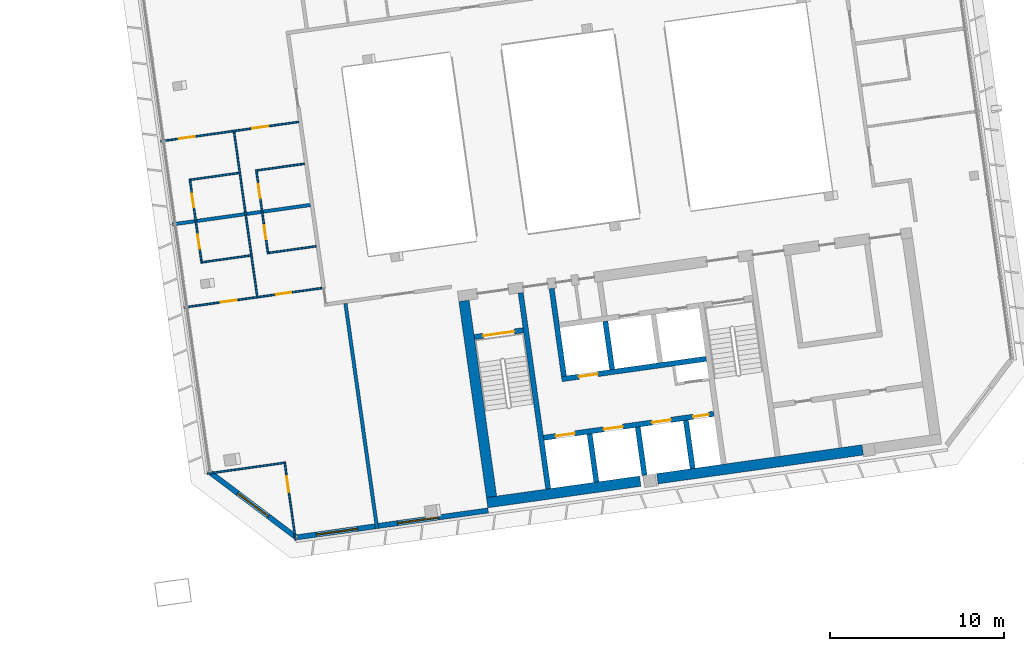
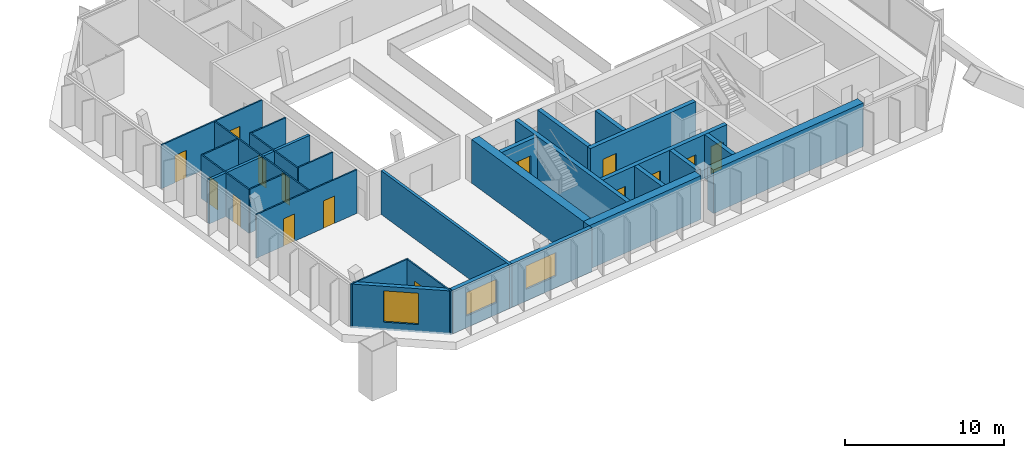
# One storey, part 17 of 25: 27 walls, 15 doors, 3 windows, 18 openings.
"""IFC4 building model written with IfcOpenShell, lengths in metres."""

from ifc_helpers import new_model, si_unit, direction, frame, frame_2d, origin, place, context, subcontext, project, spatial, rectangle, extrude, material, layer, layer_set, type_object, element, fill, save


model = new_model("IFC4")

# Units and contexts
model_context = context("Model", 3, precision=1e-05, world=origin(), true_north=direction((0.0, 1.0)))
body_context = subcontext(model_context, "Body", "Model", "MODEL_VIEW")
ifc_project = project(units=[si_unit("LENGTHUNIT", "METRE"), si_unit("AREAUNIT", "SQUARE_METRE"), si_unit("VOLUMEUNIT", "CUBIC_METRE"), si_unit("PLANEANGLEUNIT", "RADIAN"), si_unit("MASSUNIT", "GRAM", prefix="KILO")], contexts=[model_context])

# Site, building, storey
site_placement = place(None, origin())
site = spatial("IfcSite", under=ifc_project, at=site_placement, CompositionType="ELEMENT")
building_placement = place(site_placement, origin())
building = spatial("IfcBuilding", under=site, at=building_placement, Name="Mirante Cascada Hotel Towers", CompositionType="ELEMENT")
storey_placement = place(building_placement, frame((0.0, 0.0, 247.0)))
storey = spatial("IfcBuildingStorey", under=building, at=storey_placement, Name="L59", CompositionType="ELEMENT", Elevation=247.0)

# Walls
ifc_material_1 = material(Name="Fire-rated plasterboard on metal studs")
ifc_layer_1 = layer(ifc_material_1, 0.2)
ifc_layer_set_1 = layer_set([ifc_layer_1], Name="Compartment wall 200 EI 120")
wall_type_1 = type_object("IfcWallType", Name="Compartment wall 200 EI 120", PredefinedType="PARTITIONING", material=ifc_layer_set_1)
wall_1_placement = place(storey_placement, frame((27.1282, -2.4036, 0.0), z_axis=(0.0, 0.0, 1.0), x_axis=(-0.9902673, -0.1391788, 0.0)))
element("IfcWall", 1, at=wall_1_placement, inside=storey, type_object=wall_type_1, Name="Wall 2-L59-07", PredefinedType="PARTITIONING", context=body_context, shape_type="SweptSolid", body=[
    extrude(rectangle(XDim=8.0235, YDim=0.2, at=frame_2d((4.0118, 0.0))), origin(), (0.0, 0.0, 1.0), 3.35),
])
wall_2_placement = place(storey_placement, frame((29.1544, -8.0768, 0.0), z_axis=(0.0, 0.0, 1.0), x_axis=(0.1391756, -0.9902677, 0.0)))
element("IfcWall", 2, at=wall_2_placement, inside=storey, type_object=wall_type_1, Name="Wall 2-L59-33", PredefinedType="PARTITIONING", context=body_context, shape_type="SweptSolid", body=[
    extrude(rectangle(XDim=13.1, YDim=0.2, at=frame_2d((6.55, 0.0))), origin(), (0.0, 0.0, 1.0), 3.35),
])
ifc_material_2 = material(Name="Plasterboard on metal studs")
ifc_layer_2 = layer(ifc_material_2, 0.1)
ifc_layer_set_2 = layer_set([ifc_layer_2], Name="Partition 100")
wall_type_2 = type_object("IfcWallType", Name="Partition 100", PredefinedType="PARTITIONING", material=ifc_layer_set_2)
wall_3_placement = place(storey_placement, frame((25.7065, -17.2459, 0.0), z_axis=(0.0, 0.0, 1.0), x_axis=(-0.9902691, -0.1391656, 0.0)))
element("IfcWall", 3, at=wall_3_placement, inside=storey, type_object=wall_type_2, Name="Wall 2-L59-01", PredefinedType="PARTITIONING", context=body_context, shape_type="SweptSolid", body=[
    extrude(rectangle(XDim=4.55, YDim=0.1, at=frame_2d((2.275, 0.0))), origin(), (0.0, 0.0, 1.0), 3.35),
])

# Wall, openings, doors
wall_4_placement = place(storey_placement, frame((27.8009, -7.1899, 0.0), z_axis=(0.0, 0.0, 1.0), x_axis=(-0.990269, -0.1391666, 0.0)))
wall_4 = element("IfcWall", 4, at=wall_4_placement, inside=storey, type_object=wall_type_2, Name="Wall 2-L59-03", PredefinedType="PARTITIONING", context=body_context, shape_type="SweptSolid", body=[
    extrude(rectangle(XDim=8.0235, YDim=0.1, at=frame_2d((4.0118, 0.0))), origin(), (0.0, 0.0, 1.0), 3.35),
])
opening_1_placement = place(wall_4_placement, frame((4.9735, 0.0, 0.0)))
opening_1 = element("IfcOpeningElement", 5, at=opening_1_placement, cuts=wall_4, Name="Opening D2-L59-02", PredefinedType="OPENING", context=body_context, shape_type="SweptSolid", body=[
    extrude(rectangle(XDim=0.9, YDim=2.1, at=frame_2d((0.45, 1.05))), frame((0.0, 0.05, 0.0), z_axis=(0.0, -1.0, 0.0), x_axis=(1.0, 0.0, 0.0)), (0.0, 0.0, 1.0), 0.1),
])
opening_2_placement = place(wall_4_placement, frame((1.7809, 0.0, 0.0)))
opening_2 = element("IfcOpeningElement", 6, at=opening_2_placement, cuts=wall_4, Name="Opening D2-L59-03", PredefinedType="OPENING", context=body_context, shape_type="SweptSolid", body=[
    extrude(rectangle(XDim=0.9, YDim=2.1, at=frame_2d((0.45, 1.05))), frame((0.0, 0.05, 0.0), z_axis=(0.0, -1.0, 0.0), x_axis=(1.0, 0.0, 0.0)), (0.0, 0.0, 1.0), 0.1),
])
ifc_material_3 = material(Name="Timber door leaf", Category="wood")
door_type_1 = type_object("IfcDoorType", Name="Room door DG3 900x2100", OperationType="SINGLE_SWING_LEFT", PredefinedType="DOOR", material=ifc_material_3)
door_1_placement = place(opening_1_placement, origin())
door_1 = element("IfcDoor", 7, at=door_1_placement, inside=storey, type_object=door_type_1, Name="Door D2-L59-02", OperationType="SINGLE_SWING_LEFT", OverallHeight=2.1, OverallWidth=0.9, PredefinedType="DOOR", context=body_context, shape_type="SweptSolid", body=[
    extrude(rectangle(XDim=0.9, YDim=2.1, at=frame_2d((0.45, 1.05))), frame((0.0, 0.025, 0.0), z_axis=(0.0, -1.0, 0.0), x_axis=(1.0, 0.0, 0.0)), (0.0, 0.0, 1.0), 0.05),
])
fill(opening_1, door_1)
door_2_placement = place(opening_2_placement, origin())
door_2 = element("IfcDoor", 8, at=door_2_placement, inside=storey, type_object=door_type_1, Name="Door D2-L59-03", OperationType="SINGLE_SWING_LEFT", OverallHeight=2.1, OverallWidth=0.9, PredefinedType="DOOR", context=body_context, shape_type="SweptSolid", body=[
    extrude(rectangle(XDim=0.9, YDim=2.1, at=frame_2d((0.45, 1.05))), frame((0.0, 0.025, 0.0), z_axis=(0.0, -1.0, 0.0), x_axis=(1.0, 0.0, 0.0)), (0.0, 0.0, 1.0), 0.05),
])
fill(opening_2, door_2)

# Walls
wall_5_placement = place(storey_placement, frame((23.6875, -5.3107, 0.0), z_axis=(0.0, 0.0, 1.0), x_axis=(-0.990267, -0.139181, 0.0)))
element("IfcWall", 9, at=wall_5_placement, inside=storey, type_object=wall_type_2, Name="Wall 2-L59-05", PredefinedType="PARTITIONING", context=body_context, shape_type="SweptSolid", body=[
    extrude(rectangle(XDim=2.8, YDim=0.1, at=frame_2d((1.4, 0.0))), origin(), (0.0, 0.0, 1.0), 3.35),
])
wall_6_placement = place(storey_placement, frame((24.739, -5.163, 0.0), z_axis=(0.0, 0.0, 1.0), x_axis=(0.9902641, 0.1392013, 0.0)))
element("IfcWall", 10, at=wall_6_placement, inside=storey, type_object=wall_type_2, Name="Wall 2-L59-06", PredefinedType="PARTITIONING", context=body_context, shape_type="SweptSolid", body=[
    extrude(rectangle(XDim=2.75, YDim=0.1, at=frame_2d((1.375, 0.0))), origin(), (0.0, 0.0, 1.0), 3.35),
])
wall_7_placement = place(storey_placement, frame((23.0195, -0.5575, 0.0), z_axis=(0.0, 0.0, 1.0), x_axis=(-0.9902719, -0.1391459, 0.0)))
element("IfcWall", 11, at=wall_7_placement, inside=storey, type_object=wall_type_2, Name="Wall 2-L59-09", PredefinedType="PARTITIONING", context=body_context, shape_type="SweptSolid", body=[
    extrude(rectangle(XDim=2.7999, YDim=0.1, at=frame_2d((1.4, 0.0))), origin(), (0.0, 0.0, 1.0), 3.35),
])
wall_8_placement = place(storey_placement, frame((24.071, -0.4097, 0.0), z_axis=(0.0, 0.0, 1.0), x_axis=(0.9902691, 0.1391657, 0.0)))
element("IfcWall", 12, at=wall_8_placement, inside=storey, type_object=wall_type_2, Name="Wall 2-L59-10", PredefinedType="PARTITIONING", context=body_context, shape_type="SweptSolid", body=[
    extrude(rectangle(XDim=2.75, YDim=0.1, at=frame_2d((1.375, 0.0))), origin(), (0.0, 0.0, 1.0), 3.35),
])

# Wall, openings, doors
wall_9_placement = place(storey_placement, frame((18.5101, 1.266, 0.0), z_axis=(0.0, 0.0, 1.0), x_axis=(0.9902675, 0.1391771, 0.0)))
wall_9 = element("IfcWall", 13, at=wall_9_placement, inside=storey, type_object=wall_type_2, Name="Wall 2-L59-12", PredefinedType="PARTITIONING", context=body_context, shape_type="SweptSolid", body=[
    extrude(rectangle(XDim=8.0236, YDim=0.1, at=frame_2d((4.0118, 0.0))), origin(), (0.0, 0.0, 1.0), 3.35),
])
opening_3_placement = place(wall_9_placement, frame((1.0809, 0.0, 0.0)))
opening_3 = element("IfcOpeningElement", 14, at=opening_3_placement, cuts=wall_9, Name="Opening D2-L59-05", PredefinedType="OPENING", context=body_context, shape_type="SweptSolid", body=[
    extrude(rectangle(XDim=0.9, YDim=2.1, at=frame_2d((0.45, 1.05))), frame((0.0, 0.05, 0.0), z_axis=(0.0, -1.0, 0.0), x_axis=(1.0, 0.0, 0.0)), (0.0, 0.0, 1.0), 0.1),
])
opening_4_placement = place(wall_9_placement, frame((5.3426, 0.0, 0.0)))
opening_4 = element("IfcOpeningElement", 15, at=opening_4_placement, cuts=wall_9, Name="Opening D2-L59-06", PredefinedType="OPENING", context=body_context, shape_type="SweptSolid", body=[
    extrude(rectangle(XDim=0.9, YDim=2.1, at=frame_2d((0.45, 1.05))), frame((0.0, 0.05, 0.0), z_axis=(0.0, -1.0, 0.0), x_axis=(1.0, 0.0, 0.0)), (0.0, 0.0, 1.0), 0.1),
])
door_3_placement = place(opening_3_placement, origin())
door_3 = element("IfcDoor", 16, at=door_3_placement, inside=storey, type_object=door_type_1, Name="Door D2-L59-05", OperationType="SINGLE_SWING_LEFT", OverallHeight=2.1, OverallWidth=0.9, PredefinedType="DOOR", context=body_context, shape_type="SweptSolid", body=[
    extrude(rectangle(XDim=0.9, YDim=2.1, at=frame_2d((0.45, 1.05))), frame((0.0, 0.025, 0.0), z_axis=(0.0, -1.0, 0.0), x_axis=(1.0, 0.0, 0.0)), (0.0, 0.0, 1.0), 0.05),
])
fill(opening_3, door_3)
door_4_placement = place(opening_4_placement, origin())
door_4 = element("IfcDoor", 17, at=door_4_placement, inside=storey, type_object=door_type_1, Name="Door D2-L59-06", OperationType="SINGLE_SWING_LEFT", OverallHeight=2.1, OverallWidth=0.9, PredefinedType="DOOR", context=body_context, shape_type="SweptSolid", body=[
    extrude(rectangle(XDim=0.9, YDim=2.1, at=frame_2d((0.45, 1.05))), frame((0.0, 0.025, 0.0), z_axis=(0.0, -1.0, 0.0), x_axis=(1.0, 0.0, 0.0)), (0.0, 0.0, 1.0), 0.05),
])
fill(opening_4, door_4)

wall_10_placement = place(storey_placement, frame((20.1903, -0.9046, 0.0), z_axis=(0.0, 0.0, 1.0), x_axis=(0.1391638, -0.9902694, 0.0)))
wall_10 = element("IfcWall", 18, at=wall_10_placement, inside=storey, type_object=wall_type_2, Name="Wall 2-L59-27", PredefinedType="PARTITIONING", context=body_context, shape_type="SweptSolid", body=[
    extrude(rectangle(XDim=4.9, YDim=0.1, at=frame_2d((2.45, 0.0))), origin(), (0.0, 0.0, 1.0), 3.35),
])
opening_5_placement = place(wall_10_placement, frame((3.25, 0.0, 0.0)))
opening_5 = element("IfcOpeningElement", 19, at=opening_5_placement, cuts=wall_10, Name="Opening D2-L59-17", PredefinedType="OPENING", context=body_context, shape_type="SweptSolid", body=[
    extrude(rectangle(XDim=0.8, YDim=2.1, at=frame_2d((0.4, 1.05))), frame((0.0, 0.05, 0.0), z_axis=(0.0, -1.0, 0.0), x_axis=(1.0, 0.0, 0.0)), (0.0, 0.0, 1.0), 0.1),
])
opening_6_placement = place(wall_10_placement, frame((0.85, 0.0, 0.0)))
opening_6 = element("IfcOpeningElement", 20, at=opening_6_placement, cuts=wall_10, Name="Opening D2-L59-18", PredefinedType="OPENING", context=body_context, shape_type="SweptSolid", body=[
    extrude(rectangle(XDim=0.8, YDim=2.1, at=frame_2d((0.4, 1.05))), frame((0.0, 0.05, 0.0), z_axis=(0.0, -1.0, 0.0), x_axis=(1.0, 0.0, 0.0)), (0.0, 0.0, 1.0), 0.1),
])
ifc_material_4 = material(Name="Timber door leaf", Category="wood")
door_type_2 = type_object("IfcDoorType", Name="Bathroom door DG4 800x2100", OperationType="SINGLE_SWING_LEFT", PredefinedType="DOOR", material=ifc_material_4)
door_5_placement = place(opening_5_placement, origin())
door_5 = element("IfcDoor", 21, at=door_5_placement, inside=storey, type_object=door_type_2, Name="Door D2-L59-17", OperationType="SINGLE_SWING_LEFT", OverallHeight=2.1, OverallWidth=0.8, PredefinedType="DOOR", context=body_context, shape_type="SweptSolid", body=[
    extrude(rectangle(XDim=0.8, YDim=2.1, at=frame_2d((0.4, 1.05))), frame((0.0, 0.025, 0.0), z_axis=(0.0, -1.0, 0.0), x_axis=(1.0, 0.0, 0.0)), (0.0, 0.0, 1.0), 0.05),
])
fill(opening_5, door_5)
door_6_placement = place(opening_6_placement, origin())
door_6 = element("IfcDoor", 22, at=door_6_placement, inside=storey, type_object=door_type_2, Name="Door D2-L59-18", OperationType="SINGLE_SWING_LEFT", OverallHeight=2.1, OverallWidth=0.8, PredefinedType="DOOR", context=body_context, shape_type="SweptSolid", body=[
    extrude(rectangle(XDim=0.8, YDim=2.1, at=frame_2d((0.4, 1.05))), frame((0.0, 0.025, 0.0), z_axis=(0.0, -1.0, 0.0), x_axis=(1.0, 0.0, 0.0)), (0.0, 0.0, 1.0), 0.05),
])
fill(opening_6, door_6)

# Wall
wall_11_placement = place(storey_placement, frame((24.0687, -7.6639, 0.0), z_axis=(0.0, 0.0, 1.0), x_axis=(-0.1391717, 0.9902683, 0.0)))
element("IfcWall", 23, at=wall_11_placement, inside=storey, type_object=wall_type_2, Name="Wall 2-L59-28", PredefinedType="PARTITIONING", context=body_context, shape_type="SweptSolid", body=[
    extrude(rectangle(XDim=9.5666, YDim=0.1, at=frame_2d((4.7833, 0.0))), origin(), (0.0, 0.0, 1.0), 3.35),
])

# Wall, opening, door
wall_12_placement = place(storey_placement, frame((25.664, -17.3024, 0.0), z_axis=(0.0, 0.0, 1.0), x_axis=(0.1391684, -0.9902687, 0.0)))
wall_12 = element("IfcWall", 24, at=wall_12_placement, inside=storey, type_object=wall_type_2, Name="Wall 2-L59-29", PredefinedType="PARTITIONING", context=body_context, shape_type="SweptSolid", body=[
    extrude(rectangle(XDim=4.45, YDim=0.1, at=frame_2d((2.225, 0.0))), origin(), (0.0, 0.0, 1.0), 3.35),
])
opening_7_placement = place(wall_12_placement, frame((0.75, 0.0, 0.0)))
opening_7 = element("IfcOpeningElement", 25, at=opening_7_placement, cuts=wall_12, Name="Opening D2-L59-19", PredefinedType="OPENING", context=body_context, shape_type="SweptSolid", body=[
    extrude(rectangle(XDim=0.9, YDim=2.1, at=frame_2d((0.45, 1.05))), frame((0.0, 0.05, 0.0), z_axis=(0.0, -1.0, 0.0), x_axis=(1.0, 0.0, 0.0)), (0.0, 0.0, 1.0), 0.1),
])
door_7_placement = place(opening_7_placement, origin())
door_7 = element("IfcDoor", 26, at=door_7_placement, inside=storey, type_object=door_type_1, Name="Door D2-L59-19", OperationType="SINGLE_SWING_LEFT", OverallHeight=2.1, OverallWidth=0.9, PredefinedType="DOOR", context=body_context, shape_type="SweptSolid", body=[
    extrude(rectangle(XDim=0.9, YDim=2.1, at=frame_2d((0.45, 1.05))), frame((0.0, 0.025, 0.0), z_axis=(0.0, -1.0, 0.0), x_axis=(1.0, 0.0, 0.0)), (0.0, 0.0, 1.0), 0.05),
])
fill(opening_7, door_7)

# Wall, openings, doors
wall_13_placement = place(storey_placement, frame((24.0145, -0.3671, 0.0), z_axis=(0.0, 0.0, 1.0), x_axis=(0.1391638, -0.9902694, 0.0)))
wall_13 = element("IfcWall", 27, at=wall_13_placement, inside=storey, type_object=wall_type_2, Name="Wall 2-L59-31", PredefinedType="PARTITIONING", context=body_context, shape_type="SweptSolid", body=[
    extrude(rectangle(XDim=4.9, YDim=0.1, at=frame_2d((2.45, 0.0))), origin(), (0.0, 0.0, 1.0), 3.35),
])
opening_8_placement = place(wall_13_placement, frame((3.25, 0.0, 0.0)))
opening_8 = element("IfcOpeningElement", 28, at=opening_8_placement, cuts=wall_13, Name="Opening D2-L59-21", PredefinedType="OPENING", context=body_context, shape_type="SweptSolid", body=[
    extrude(rectangle(XDim=0.8, YDim=2.1, at=frame_2d((0.4, 1.05))), frame((0.0, 0.05, 0.0), z_axis=(0.0, -1.0, 0.0), x_axis=(1.0, 0.0, 0.0)), (0.0, 0.0, 1.0), 0.1),
])
opening_9_placement = place(wall_13_placement, frame((0.85, 0.0, 0.0)))
opening_9 = element("IfcOpeningElement", 29, at=opening_9_placement, cuts=wall_13, Name="Opening D2-L59-22", PredefinedType="OPENING", context=body_context, shape_type="SweptSolid", body=[
    extrude(rectangle(XDim=0.8, YDim=2.1, at=frame_2d((0.4, 1.05))), frame((0.0, 0.05, 0.0), z_axis=(0.0, -1.0, 0.0), x_axis=(1.0, 0.0, 0.0)), (0.0, 0.0, 1.0), 0.1),
])
door_8_placement = place(opening_8_placement, origin())
door_8 = element("IfcDoor", 30, at=door_8_placement, inside=storey, type_object=door_type_2, Name="Door D2-L59-21", OperationType="SINGLE_SWING_LEFT", OverallHeight=2.1, OverallWidth=0.8, PredefinedType="DOOR", context=body_context, shape_type="SweptSolid", body=[
    extrude(rectangle(XDim=0.8, YDim=2.1, at=frame_2d((0.4, 1.05))), frame((0.0, 0.025, 0.0), z_axis=(0.0, -1.0, 0.0), x_axis=(1.0, 0.0, 0.0)), (0.0, 0.0, 1.0), 0.05),
])
fill(opening_8, door_8)
door_9_placement = place(opening_9_placement, origin())
door_9 = element("IfcDoor", 31, at=door_9_placement, inside=storey, type_object=door_type_2, Name="Door D2-L59-22", OperationType="SINGLE_SWING_LEFT", OverallHeight=2.1, OverallWidth=0.8, PredefinedType="DOOR", context=body_context, shape_type="SweptSolid", body=[
    extrude(rectangle(XDim=0.8, YDim=2.1, at=frame_2d((0.4, 1.05))), frame((0.0, 0.025, 0.0), z_axis=(0.0, -1.0, 0.0), x_axis=(1.0, 0.0, 0.0)), (0.0, 0.0, 1.0), 0.05),
])
fill(opening_9, door_9)

# Wall, openings, windows
ifc_material_5 = material(Name="Precast concrete C40/50", Category="concrete")
ifc_layer_3 = layer(ifc_material_5, 0.3)
ifc_layer_set_3 = layer_set([ifc_layer_3], Name="Precast concrete C40/50 cladding wall 300")
wall_type_3 = type_object("IfcWallType", Name="Precast concrete C40/50 cladding wall 300", PredefinedType="STANDARD", material=ifc_layer_set_3)
wall_14_placement = place(storey_placement, frame((26.3853, -21.5433, 0.0), z_axis=(0.0, 0.0, 1.0), x_axis=(0.9902673, 0.1391784, 0.0)))
wall_14 = element("IfcWall", 32, at=wall_14_placement, inside=storey, type_object=wall_type_3, Name="Rear cladding wall T2 L59 1", PredefinedType="STANDARD", context=body_context, shape_type="SweptSolid", body=[
    extrude(rectangle(XDim=11.0994, YDim=0.3, at=frame_2d((5.5497, 0.0))), origin(), (0.0, 0.0, 1.0), 3.35),
])
opening_10_placement = place(wall_14_placement, frame((1.1005, 0.0, 0.9)))
opening_10 = element("IfcOpeningElement", 33, at=opening_10_placement, cuts=wall_14, Name="Opening W2-59-01", PredefinedType="OPENING", context=body_context, shape_type="SweptSolid", body=[
    extrude(rectangle(XDim=2.4, YDim=1.8, at=frame_2d((1.2, 0.9))), frame((0.0, 0.15, 0.0), z_axis=(0.0, -1.0, 0.0), x_axis=(1.0, 0.0, 0.0)), (0.0, 0.0, 1.0), 0.3),
])
opening_11_placement = place(wall_14_placement, frame((5.8254, 0.0, 0.9)))
opening_11 = element("IfcOpeningElement", 34, at=opening_11_placement, cuts=wall_14, Name="Opening W2-59-02", PredefinedType="OPENING", context=body_context, shape_type="SweptSolid", body=[
    extrude(rectangle(XDim=2.4, YDim=1.8, at=frame_2d((1.2, 0.9))), frame((0.0, 0.15, 0.0), z_axis=(0.0, -1.0, 0.0), x_axis=(1.0, 0.0, 0.0)), (0.0, 0.0, 1.0), 0.3),
])
ifc_material_6 = material(Name="Aluminium frame with clear double glazing", Category="aluminium")
window_type_1 = type_object("IfcWindowType", Name="Punched window 2400x1800", PartitioningType="DOUBLE_PANEL_VERTICAL", PredefinedType="WINDOW", material=ifc_material_6)
window_1_placement = place(opening_10_placement, origin())
window_1 = element("IfcWindow", 35, at=window_1_placement, inside=storey, type_object=window_type_1, Name="Window W2-59-01", OverallHeight=1.8, OverallWidth=2.4, PartitioningType="SINGLE_PANEL", PredefinedType="WINDOW", context=body_context, shape_type="SweptSolid", body=[
    extrude(rectangle(XDim=2.4, YDim=1.8, at=frame_2d((1.2, 0.9))), frame((0.0, 0.03, 0.0), z_axis=(0.0, -1.0, 0.0), x_axis=(1.0, 0.0, 0.0)), (0.0, 0.0, 1.0), 0.06),
])
fill(opening_10, window_1)
window_2_placement = place(opening_11_placement, origin())
window_2 = element("IfcWindow", 36, at=window_2_placement, inside=storey, type_object=window_type_1, Name="Window W2-59-02", OverallHeight=1.8, OverallWidth=2.4, PartitioningType="SINGLE_PANEL", PredefinedType="WINDOW", context=body_context, shape_type="SweptSolid", body=[
    extrude(rectangle(XDim=2.4, YDim=1.8, at=frame_2d((1.2, 0.9))), frame((0.0, 0.03, 0.0), z_axis=(0.0, -1.0, 0.0), x_axis=(1.0, 0.0, 0.0)), (0.0, 0.0, 1.0), 0.06),
])
fill(opening_11, window_2)

# Wall, opening, window
wall_15_placement = place(storey_placement, frame((21.3902, -17.8341, 0.0), z_axis=(0.0, 0.0, 1.0), x_axis=(0.7986362, -0.6018141, 0.0)))
wall_15 = element("IfcWall", 37, at=wall_15_placement, inside=storey, type_object=wall_type_3, Name="Corner cladding wall T2 L59 inner rear", PredefinedType="STANDARD", context=body_context, shape_type="SweptSolid", body=[
    extrude(rectangle(XDim=6.1157, YDim=0.3, at=frame_2d((3.0578, 0.0))), origin(), (0.0, 0.0, 1.0), 3.35),
])
opening_12_placement = place(wall_15_placement, frame((1.9578, 0.0, 0.6)))
opening_12 = element("IfcOpeningElement", 38, at=opening_12_placement, cuts=wall_15, Name="Opening W2-59-06", PredefinedType="OPENING", context=body_context, shape_type="SweptSolid", body=[
    extrude(rectangle(XDim=2.2, YDim=2.4, at=frame_2d((1.1, 1.2))), frame((0.0, 0.15, 0.0), z_axis=(0.0, -1.0, 0.0), x_axis=(1.0, 0.0, 0.0)), (0.0, 0.0, 1.0), 0.3),
])
ifc_material_7 = material(Name="Aluminium frame with clear double glazing", Category="aluminium")
window_type_2 = type_object("IfcWindowType", Name="Corner suite window 2200x2400", PartitioningType="DOUBLE_PANEL_VERTICAL", PredefinedType="WINDOW", material=ifc_material_7)
window_3_placement = place(opening_12_placement, origin())
window_3 = element("IfcWindow", 39, at=window_3_placement, inside=storey, type_object=window_type_2, Name="Window W2-59-06", OverallHeight=2.4, OverallWidth=2.2, PartitioningType="SINGLE_PANEL", PredefinedType="WINDOW", context=body_context, shape_type="SweptSolid", body=[
    extrude(rectangle(XDim=2.2, YDim=2.4, at=frame_2d((1.1, 1.2))), frame((0.0, 0.03, 0.0), z_axis=(0.0, -1.0, 0.0), x_axis=(1.0, 0.0, 0.0)), (0.0, 0.0, 1.0), 0.06),
])
fill(opening_12, window_3)

# Wall
ifc_material_8 = material(Name="Concrete C50/60", Category="concrete")
ifc_layer_4 = layer(ifc_material_8, 0.3)
ifc_layer_set_4 = layer_set([ifc_layer_4], Name="RC core wall 300 C50/60")
wall_type_4 = type_object("IfcWallType", Name="RC core wall 300 C50/60", PredefinedType="SHEAR", material=ifc_layer_set_4)
wall_16_placement = place(storey_placement, frame((40.8373, -18.7548, 0.0), z_axis=(0.0, 0.0, 1.0), x_axis=(-0.1391749, 0.9902678, 0.0)))
element("IfcWall", 40, at=wall_16_placement, inside=storey, type_object=wall_type_4, Name="Core wall T2:L59:5", PredefinedType="SHEAR", context=body_context, shape_type="SweptSolid", body=[
    extrude(rectangle(XDim=11.4, YDim=0.3, at=frame_2d((5.7, 0.0))), origin(), (0.0, 0.0, 1.0), 3.35),
])

# Wall, opening, door
wall_17_placement = place(storey_placement, frame((36.5791, -10.0123, 0.0), z_axis=(0.0, 0.0, 1.0), x_axis=(0.9902704, 0.1391564, 0.0)))
wall_17 = element("IfcWall", 41, at=wall_17_placement, inside=storey, type_object=wall_type_4, Name="Core wall T2:L59:8", PredefinedType="SHEAR", context=body_context, shape_type="SweptSolid", body=[
    extrude(rectangle(XDim=2.85, YDim=0.3, at=frame_2d((1.425, 0.0))), origin(), (0.0, 0.0, 1.0), 3.35),
])
opening_13_placement = place(wall_17_placement, frame((0.525, 0.0, 0.0)))
opening_13 = element("IfcOpeningElement", 42, at=opening_13_placement, cuts=wall_17, Name="Opening D2-59-C07", PredefinedType="OPENING", context=body_context, shape_type="SweptSolid", body=[
    extrude(rectangle(XDim=1.8, YDim=2.1, at=frame_2d((0.9, 1.05))), frame((0.0, 0.15, 0.0), z_axis=(0.0, -1.0, 0.0), x_axis=(1.0, 0.0, 0.0)), (0.0, 0.0, 1.0), 0.3),
])
ifc_material_9 = material(Name="Hollow metal fire door leaf")
door_type_3 = type_object("IfcDoorType", Name="Double fire door 1800x2100 FD60", OperationType="DOUBLE_DOOR_SINGLE_SWING", PredefinedType="DOOR", material=ifc_material_9)
door_10_placement = place(opening_13_placement, frame((1.8, 0.0, 0.0), z_axis=(0.0, 0.0, 1.0), x_axis=(-1.0, 0.0, 0.0)))
door_10 = element("IfcDoor", 43, at=door_10_placement, inside=storey, type_object=door_type_3, Name="Stair door T2 L59 7", OperationType="DOUBLE_DOOR_SINGLE_SWING", OverallHeight=2.1, OverallWidth=1.8, PredefinedType="DOOR", context=body_context, shape_type="SweptSolid", body=[
    extrude(rectangle(XDim=0.895, YDim=2.1, at=frame_2d((0.4475, 1.05))), frame((0.0, 0.025, 0.0), z_axis=(0.0, -1.0, 0.0), x_axis=(1.0, 0.0, 0.0)), (0.0, 0.0, 1.0), 0.05),
    extrude(rectangle(XDim=0.895, YDim=2.1, at=frame_2d((1.3525, 1.05))), frame((0.0, 0.025, 0.0), z_axis=(0.0, -1.0, 0.0), x_axis=(1.0, 0.0, 0.0)), (0.0, 0.0, 1.0), 0.05),
])
fill(opening_13, door_10)

# Wall, openings, doors
wall_18_placement = place(storey_placement, frame((40.5753, -15.8126, 0.0), z_axis=(0.0, 0.0, 1.0), x_axis=(0.9902682, 0.1391725, 0.0)))
wall_18 = element("IfcWall", 44, at=wall_18_placement, inside=storey, type_object=wall_type_4, Name="Core wall T2:L59:10", PredefinedType="SHEAR", context=body_context, shape_type="SweptSolid", body=[
    extrude(rectangle(XDim=9.8999, YDim=0.3, at=frame_2d((4.95, 0.0))), origin(), (0.0, 0.0, 1.0), 3.35),
])
opening_14_placement = place(wall_18_placement, frame((0.7, 0.0, 0.0)))
opening_14 = element("IfcOpeningElement", 45, at=opening_14_placement, cuts=wall_18, Name="Opening LD", PredefinedType="OPENING", context=body_context, shape_type="SweptSolid", body=[
    extrude(rectangle(XDim=1.1, YDim=2.1, at=frame_2d((0.55, 1.05))), frame((0.0, 0.15, 0.0), z_axis=(0.0, -1.0, 0.0), x_axis=(1.0, 0.0, 0.0)), (0.0, 0.0, 1.0), 0.3),
])
opening_15_placement = place(wall_18_placement, frame((3.5, 0.0, 0.0)))
opening_15 = element("IfcOpeningElement", 46, at=opening_15_placement, cuts=wall_18, Name="Opening LD", PredefinedType="OPENING", context=body_context, shape_type="SweptSolid", body=[
    extrude(rectangle(XDim=1.1, YDim=2.1, at=frame_2d((0.55, 1.05))), frame((0.0, 0.15, 0.0), z_axis=(0.0, -1.0, 0.0), x_axis=(1.0, 0.0, 0.0)), (0.0, 0.0, 1.0), 0.3),
])
opening_16_placement = place(wall_18_placement, frame((6.3, 0.0, 0.0)))
opening_16 = element("IfcOpeningElement", 47, at=opening_16_placement, cuts=wall_18, Name="Opening LD", PredefinedType="OPENING", context=body_context, shape_type="SweptSolid", body=[
    extrude(rectangle(XDim=1.1, YDim=2.1, at=frame_2d((0.55, 1.05))), frame((0.0, 0.15, 0.0), z_axis=(0.0, -1.0, 0.0), x_axis=(1.0, 0.0, 0.0)), (0.0, 0.0, 1.0), 0.3),
])
opening_17_placement = place(wall_18_placement, frame((8.7, 0.0, 0.0)))
opening_17 = element("IfcOpeningElement", 48, at=opening_17_placement, cuts=wall_18, Name="Opening D2-59-C14", PredefinedType="OPENING", context=body_context, shape_type="SweptSolid", body=[
    extrude(rectangle(XDim=0.9, YDim=2.1, at=frame_2d((0.45, 1.05))), frame((0.0, 0.15, 0.0), z_axis=(0.0, -1.0, 0.0), x_axis=(1.0, 0.0, 0.0)), (0.0, 0.0, 1.0), 0.3),
])
ifc_material_10 = material(Name="Hollow metal fire door leaf")
door_type_4 = type_object("IfcDoorType", Name="Fire door 900x2100 FD60", OperationType="NOTDEFINED", PredefinedType="DOOR", material=ifc_material_10)
door_11_placement = place(opening_17_placement, frame((0.9, 0.0, 0.0), z_axis=(0.0, 0.0, 1.0), x_axis=(-1.0, 0.0, 0.0)))
door_11 = element("IfcDoor", 49, at=door_11_placement, inside=storey, type_object=door_type_4, Name="Riser door T2 L59 14", OperationType="SINGLE_SWING_RIGHT", OverallHeight=2.1, OverallWidth=0.9, PredefinedType="DOOR", context=body_context, shape_type="SweptSolid", body=[
    extrude(rectangle(XDim=0.9, YDim=2.1, at=frame_2d((0.45, 1.05))), frame((0.0, 0.025, 0.0), z_axis=(0.0, -1.0, 0.0), x_axis=(1.0, 0.0, 0.0)), (0.0, 0.0, 1.0), 0.05),
])
fill(opening_17, door_11)
ifc_material_11 = material(Name="Stainless steel", Category="steel")
door_type_5 = type_object("IfcDoorType", Name="Lift landing door 1100x2100 EI 120", OperationType="DOUBLE_DOOR_SLIDING", PredefinedType="DOOR", material=ifc_material_11)
door_12_placement = place(opening_14_placement, origin())
door_12 = element("IfcDoor", 50, at=door_12_placement, inside=storey, type_object=door_type_5, Name="Lift landing door HR2-1 L59", OperationType="DOUBLE_DOOR_SLIDING", OverallHeight=2.1, OverallWidth=1.1, PredefinedType="DOOR", context=body_context, shape_type="SweptSolid", body=[
    extrude(rectangle(XDim=0.545, YDim=2.1, at=frame_2d((0.2725, 1.05))), frame((0.0, 0.025, 0.0), z_axis=(0.0, -1.0, 0.0), x_axis=(1.0, 0.0, 0.0)), (0.0, 0.0, 1.0), 0.05),
    extrude(rectangle(XDim=0.545, YDim=2.1, at=frame_2d((0.8275, 1.05))), frame((0.0, 0.025, 0.0), z_axis=(0.0, -1.0, 0.0), x_axis=(1.0, 0.0, 0.0)), (0.0, 0.0, 1.0), 0.05),
])
fill(opening_14, door_12)
door_13_placement = place(opening_15_placement, origin())
door_13 = element("IfcDoor", 51, at=door_13_placement, inside=storey, type_object=door_type_5, Name="Lift landing door HR2-2 L59", OperationType="DOUBLE_DOOR_SLIDING", OverallHeight=2.1, OverallWidth=1.1, PredefinedType="DOOR", context=body_context, shape_type="SweptSolid", body=[
    extrude(rectangle(XDim=0.545, YDim=2.1, at=frame_2d((0.2725, 1.05))), frame((0.0, 0.025, 0.0), z_axis=(0.0, -1.0, 0.0), x_axis=(1.0, 0.0, 0.0)), (0.0, 0.0, 1.0), 0.05),
    extrude(rectangle(XDim=0.545, YDim=2.1, at=frame_2d((0.8275, 1.05))), frame((0.0, 0.025, 0.0), z_axis=(0.0, -1.0, 0.0), x_axis=(1.0, 0.0, 0.0)), (0.0, 0.0, 1.0), 0.05),
])
fill(opening_15, door_13)
door_14_placement = place(opening_16_placement, origin())
door_14 = element("IfcDoor", 52, at=door_14_placement, inside=storey, type_object=door_type_5, Name="Lift landing door HR2-3 L59", OperationType="DOUBLE_DOOR_SLIDING", OverallHeight=2.1, OverallWidth=1.1, PredefinedType="DOOR", context=body_context, shape_type="SweptSolid", body=[
    extrude(rectangle(XDim=0.545, YDim=2.1, at=frame_2d((0.2725, 1.05))), frame((0.0, 0.025, 0.0), z_axis=(0.0, -1.0, 0.0), x_axis=(1.0, 0.0, 0.0)), (0.0, 0.0, 1.0), 0.05),
    extrude(rectangle(XDim=0.545, YDim=2.1, at=frame_2d((0.8275, 1.05))), frame((0.0, 0.025, 0.0), z_axis=(0.0, -1.0, 0.0), x_axis=(1.0, 0.0, 0.0)), (0.0, 0.0, 1.0), 0.05),
])
fill(opening_16, door_14)

# Wall, opening, door
wall_19_placement = place(storey_placement, frame((41.6153, -12.435, 0.0), z_axis=(0.0, 0.0, 1.0), x_axis=(0.9902691, 0.139166, 0.0)))
wall_19 = element("IfcWall", 53, at=wall_19_placement, inside=storey, type_object=wall_type_4, Name="Core wall T2:L59:11", PredefinedType="SHEAR", context=body_context, shape_type="SweptSolid", body=[
    extrude(rectangle(XDim=8.4, YDim=0.3, at=frame_2d((4.2, 0.0))), origin(), (0.0, 0.0, 1.0), 3.35),
])
opening_18_placement = place(wall_19_placement, frame((1.0, 0.0, 0.0)))
opening_18 = element("IfcOpeningElement", 54, at=opening_18_placement, cuts=wall_19, Name="Opening LD", PredefinedType="OPENING", context=body_context, shape_type="SweptSolid", body=[
    extrude(rectangle(XDim=1.1, YDim=2.1, at=frame_2d((0.55, 1.05))), frame((0.0, 0.15, 0.0), z_axis=(0.0, -1.0, 0.0), x_axis=(1.0, 0.0, 0.0)), (0.0, 0.0, 1.0), 0.3),
])
door_15_placement = place(opening_18_placement, origin())
door_15 = element("IfcDoor", 55, at=door_15_placement, inside=storey, type_object=door_type_5, Name="Lift landing door HR2-4 L59", OperationType="DOUBLE_DOOR_SLIDING", OverallHeight=2.1, OverallWidth=1.1, PredefinedType="DOOR", context=body_context, shape_type="SweptSolid", body=[
    extrude(rectangle(XDim=0.545, YDim=2.1, at=frame_2d((0.2725, 1.05))), frame((0.0, 0.025, 0.0), z_axis=(0.0, -1.0, 0.0), x_axis=(1.0, 0.0, 0.0)), (0.0, 0.0, 1.0), 0.05),
    extrude(rectangle(XDim=0.545, YDim=2.1, at=frame_2d((0.8275, 1.05))), frame((0.0, 0.025, 0.0), z_axis=(0.0, -1.0, 0.0), x_axis=(1.0, 0.0, 0.0)), (0.0, 0.0, 1.0), 0.05),
])
fill(opening_18, door_15)

# Walls
wall_20_placement = place(storey_placement, frame((43.61, -18.3651, 0.0), z_axis=(0.0, 0.0, 1.0), x_axis=(-0.1391459, 0.9902719, 0.0)))
element("IfcWall", 56, at=wall_20_placement, inside=storey, type_object=wall_type_4, Name="Core wall T2:L59:13", PredefinedType="SHEAR", context=body_context, shape_type="SweptSolid", body=[
    extrude(rectangle(XDim=2.7999, YDim=0.3, at=frame_2d((1.4, 0.0))), origin(), (0.0, 0.0, 1.0), 3.35),
])
wall_21_placement = place(storey_placement, frame((46.3828, -17.9754, 0.0), z_axis=(0.0, 0.0, 1.0), x_axis=(-0.139181, 0.990267, 0.0)))
element("IfcWall", 57, at=wall_21_placement, inside=storey, type_object=wall_type_4, Name="Core wall T2:L59:14", PredefinedType="SHEAR", context=body_context, shape_type="SweptSolid", body=[
    extrude(rectangle(XDim=2.8, YDim=0.3, at=frame_2d((1.4, 0.0))), origin(), (0.0, 0.0, 1.0), 3.35),
])
wall_22_placement = place(storey_placement, frame((49.1555, -17.5857, 0.0), z_axis=(0.0, 0.0, 1.0), x_axis=(-0.1391459, 0.9902719, 0.0)))
element("IfcWall", 58, at=wall_22_placement, inside=storey, type_object=wall_type_4, Name="Core wall T2:L59:15", PredefinedType="SHEAR", context=body_context, shape_type="SweptSolid", body=[
    extrude(rectangle(XDim=2.7999, YDim=0.3, at=frame_2d((1.4, 0.0))), origin(), (0.0, 0.0, 1.0), 3.35),
])
wall_23_placement = place(storey_placement, frame((44.5157, -11.8759, 0.0), z_axis=(0.0, 0.0, 1.0), x_axis=(-0.139181, 0.990267, 0.0)))
element("IfcWall", 59, at=wall_23_placement, inside=storey, type_object=wall_type_4, Name="Core wall T2:L59:16", PredefinedType="SHEAR", context=body_context, shape_type="SweptSolid", body=[
    extrude(rectangle(XDim=2.8, YDim=0.3, at=frame_2d((1.4, 0.0))), origin(), (0.0, 0.0, 1.0), 3.35),
])
wall_24_placement = place(storey_placement, frame((41.743, -12.2656, 0.0), z_axis=(0.0, 0.0, 1.0), x_axis=(-0.1391755, 0.9902677, 0.0)))
element("IfcWall", 60, at=wall_24_placement, inside=storey, type_object=wall_type_4, Name="Core wall T2:L59:18", PredefinedType="SHEAR", context=body_context, shape_type="SweptSolid", body=[
    extrude(rectangle(XDim=5.1, YDim=0.3, at=frame_2d((2.55, 0.0))), origin(), (0.0, 0.0, 1.0), 3.35),
])
ifc_material_12 = material(Name="Concrete C50/60", Category="concrete")
ifc_layer_5 = layer(ifc_material_12, 0.6)
ifc_layer_set_5 = layer_set([ifc_layer_5], Name="RC core wall 600 C50/60")
wall_type_5 = type_object("IfcWallType", Name="RC core wall 600 C50/60", PredefinedType="SHEAR", material=ifc_layer_set_5)
wall_25_placement = place(storey_placement, frame((37.3141, -19.5529, 0.0), z_axis=(0.0, 0.0, 1.0), x_axis=(0.9902679, 0.1391743, 0.0)))
element("IfcWall", 61, at=wall_25_placement, inside=storey, type_object=wall_type_5, Name="Core wall T2:L59:1.1", PredefinedType="SHEAR", context=body_context, shape_type="SweptSolid", body=[
    extrude(rectangle(XDim=8.9047, YDim=0.6, at=frame_2d((4.4524, 0.0))), origin(), (0.0, 0.0, 1.0), 3.35),
])
wall_26_placement = place(storey_placement, frame((47.1265, -18.1739, 0.0), z_axis=(0.0, 0.0, 1.0), x_axis=(0.9902679, 0.1391746, 0.0)))
element("IfcWall", 62, at=wall_26_placement, inside=storey, type_object=wall_type_5, Name="Core wall T2:L59:1.2", PredefinedType="SHEAR", context=body_context, shape_type="SweptSolid", body=[
    extrude(rectangle(XDim=11.9411, YDim=0.6, at=frame_2d((5.9706, 0.0))), origin(), (0.0, 0.0, 1.0), 3.35),
])
wall_27_placement = place(storey_placement, frame((37.5694, -19.2141, 0.0), z_axis=(0.0, 0.0, 1.0), x_axis=(-0.1391749, 0.9902678, 0.0)))
element("IfcWall", 63, at=wall_27_placement, inside=storey, type_object=wall_type_5, Name="Core wall T2:L59:3", PredefinedType="SHEAR", context=body_context, shape_type="SweptSolid", body=[
    extrude(rectangle(XDim=11.4, YDim=0.6, at=frame_2d((5.7, 0.0))), origin(), (0.0, 0.0, 1.0), 3.35),
])

save(model, "model.ifc")
